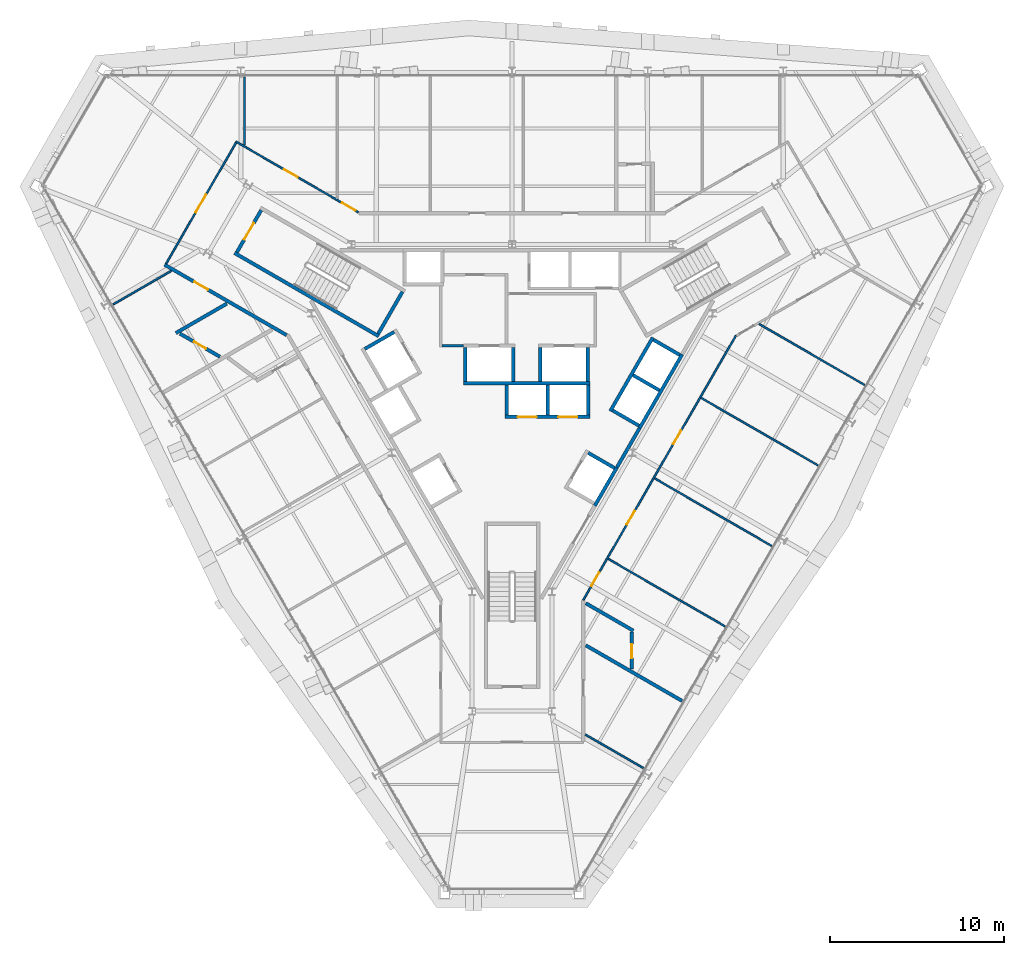
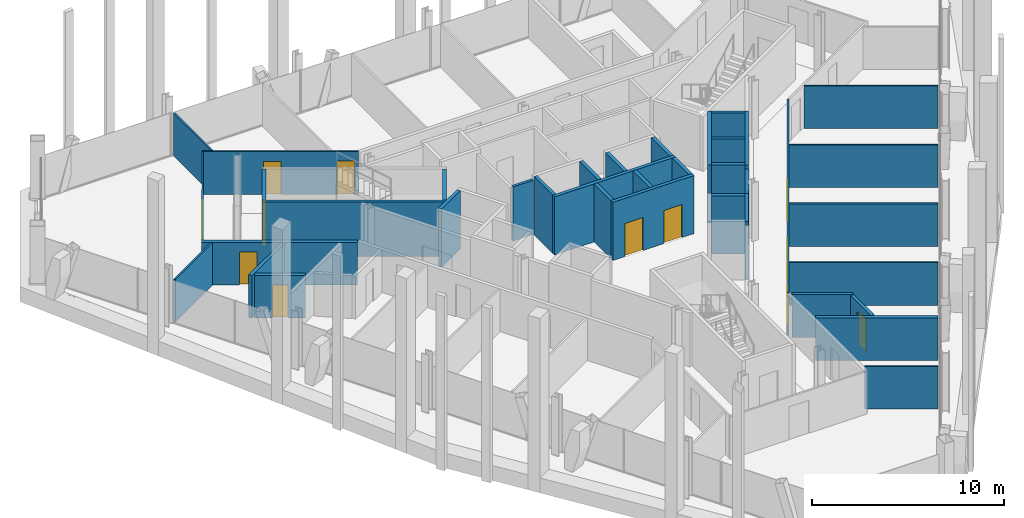
# One storey, part 13 of 17: 38 walls, 12 doors, 12 openings.
"""IFC4 building model written with IfcOpenShell, lengths in metres."""

import ifcopenshell
import ifcopenshell.guid

model = None  # the IFC model being written
_history = None  # IfcOwnerHistory: only IFC2X3 demands one
_inside = {}  # id of a spatial element -> (the spatial element, [elements in it])
_under = {}  # id of a project, library or spatial element -> (it, [spatial elements below it])
_declared = {}  # id of a project -> (the project, [libraries it declares])
_typed = {}  # id of a type object -> (the type object, [elements of that type])
_made_of = {}  # id of a material, layer set ... -> (it, [elements and type objects made of it])


def new_model(schema):
    """Start an empty IFC model of exactly this schema.

    Asked for "IFC4X3", IfcOpenShell would pick the latest addendum, in which some entities
    have other attributes; the version numbers below select the first issue.
    IFC2X3 requires an IfcOwnerHistory on every rooted entity: one is made here for all.
    """
    global model, _history
    if schema == "IFC4X3":
        model = ifcopenshell.file(schema_version=(4, 3, 0, 0))
    else:
        model = ifcopenshell.file(schema=schema)
    _inside.clear()
    _under.clear()
    _declared.clear()
    _typed.clear()
    _made_of.clear()
    _history = None
    if model.schema == "IFC2X3":
        org = make("IfcOrganization", Name="unknown")
        user = make(
            "IfcPersonAndOrganization",
            ThePerson=make("IfcPerson", FamilyName="unknown"),
            TheOrganization=org,
        )
        app = make(
            "IfcApplication",
            ApplicationDeveloper=org,
            Version="unknown",
            ApplicationFullName="unknown",
            ApplicationIdentifier="unknown",
        )
        _history = make(
            "IfcOwnerHistory",
            OwningUser=user,
            OwningApplication=app,
            ChangeAction="ADDED",
            CreationDate=0,
        )
    return model


def make(cls, **values):
    """One entity of the class cls with the attributes given. An attribute that is None is left unset."""
    return model.create_entity(
        cls, **{name: value for name, value in values.items() if value is not None}
    )


def rooted(cls, **values):
    """An entity with a GlobalId (a new one), such as an element, a storey or a relation."""
    return make(cls, GlobalId=ifcopenshell.guid.new(), OwnerHistory=_history, **values)


def si_unit(unit_type, name, prefix=None):
    """IfcSIUnit, for example si_unit("LENGTHUNIT", "METRE", prefix="MILLI")."""
    return make("IfcSIUnit", UnitType=unit_type, Prefix=prefix, Name=name)


def assignment(units):
    """IfcUnitAssignment: the units of a project."""
    return None if units is None else make("IfcUnitAssignment", Units=units)


def point(xyz):
    """IfcCartesianPoint."""
    return None if xyz is None else make("IfcCartesianPoint", Coordinates=xyz)


def direction(xyz):
    """IfcDirection."""
    return None if xyz is None else make("IfcDirection", DirectionRatios=xyz)


def frame(location, z_axis=None, x_axis=None):
    """IfcAxis2Placement3D, a coordinate frame: its origin and axes. An axis left out is left unset."""
    return make(
        "IfcAxis2Placement3D",
        Location=point(location),
        Axis=direction(z_axis),
        RefDirection=direction(x_axis),
    )


def frame_2d(location, x_axis=None):
    """IfcAxis2Placement2D, a coordinate frame in the plane: its origin and x axis."""
    return make(
        "IfcAxis2Placement2D", Location=point(location), RefDirection=direction(x_axis)
    )


def origin():
    """The frame at (0, 0, 0) with its axes left unset."""
    return frame((0.0, 0.0, 0.0))


def place(relative_to, where):
    """IfcLocalPlacement: puts the frame where relative to a parent placement (None: the world)."""
    return make(
        "IfcLocalPlacement", PlacementRelTo=relative_to, RelativePlacement=where
    )


def context(
    kind, dimensions, precision=None, world=None, true_north=None, identifier=None
):
    """IfcGeometricRepresentationContext, for example the 3D "Model" context."""
    return make(
        "IfcGeometricRepresentationContext",
        ContextIdentifier=identifier,
        ContextType=kind,
        CoordinateSpaceDimension=dimensions,
        Precision=precision,
        WorldCoordinateSystem=world,
        TrueNorth=true_north,
    )


def subcontext(parent, identifier, kind, view, scale=None):
    """IfcGeometricRepresentationSubContext, for example "Body" below "Model"."""
    return make(
        "IfcGeometricRepresentationSubContext",
        ContextIdentifier=identifier,
        ContextType=kind,
        ParentContext=parent,
        TargetScale=scale,
        TargetView=view,
    )


def project(units=None, contexts=None):
    """IfcProject with its units and contexts."""
    return rooted(
        "IfcProject",
        Name="project",
        RepresentationContexts=contexts,
        UnitsInContext=assignment(units),
    )


def spatial(cls, under=None, at=None, **own):
    """A site, building, storey or space (cls), placed at a placement, below another one or the project."""
    s = rooted(cls, ObjectPlacement=at, **own)
    if under is not None:
        _under.setdefault(under.id(), (under, []))[1].append(s)
    return s


def profile(cls, at=None, kind="AREA", **sizes):
    """A parametric profile (cls). Its sizes go by their IFC names, for example OverallWidth=200.0."""
    return make(cls, ProfileType=kind, Position=at, **sizes)


def rectangle(**sizes):
    """IfcRectangleProfileDef."""
    return profile("IfcRectangleProfileDef", **sizes)


def extrude(swept, where, along, depth):
    """IfcExtrudedAreaSolid: the profile swept, set in the frame where, extruded along a direction by depth."""
    return make(
        "IfcExtrudedAreaSolid",
        SweptArea=swept,
        Position=where,
        ExtrudedDirection=direction(along),
        Depth=depth,
    )


def shape(context_of_items, identifier, shape_type, items):
    """IfcShapeRepresentation: the items that make up one representation, for example the "Body"."""
    return make(
        "IfcShapeRepresentation",
        ContextOfItems=context_of_items,
        RepresentationIdentifier=identifier,
        RepresentationType=shape_type,
        Items=items,
    )


def material(Name=None, Category=None):
    """IfcMaterial."""
    return make("IfcMaterial", Name=Name, Category=Category)


def layer(
    of_material, thickness, ventilated=None, Name=None, Category=None, Priority=None
):
    """IfcMaterialLayer: one layer of a wall or slab, of a material (None: an air gap)."""
    return make(
        "IfcMaterialLayer",
        Material=of_material,
        LayerThickness=thickness,
        IsVentilated=ventilated,
        Name=Name,
        Category=Category,
        Priority=Priority,
    )


def layer_set(layers, Name=None):
    """IfcMaterialLayerSet."""
    return make("IfcMaterialLayerSet", MaterialLayers=layers, LayerSetName=Name)


def made_of(thing, what):
    """Note that an element or type object is made of a material, layer set ...; save() writes the relation."""
    if what is not None:
        _made_of.setdefault(what.id(), (what, []))[1].append(thing)
    return thing


def type_object(cls, material=None, **own):
    """A type object (cls), such as IfcWallType, which elements share."""
    return made_of(rooted(cls, **own), material)


def element(
    cls,
    number,
    at=None,
    inside=None,
    cuts=None,
    type_object=None,
    material=None,
    context=None,
    identifier="Body",
    shape_type=None,
    held_by="IfcProductDefinitionShape",
    body=None,
    shapes=None,
    **own,
):
    """One element of the class cls, such as IfcWall. Its Tag is "e" and its number.

    at: its placement. inside: the storey or other place that contains it. cuts: it is an
    opening in that element (IfcRelVoidsElement). A single representation is given by context,
    identifier, shape_type and body (its items); several are given by shapes. held_by: the class
    of the entity that holds the representations. save() writes the other relations.
    """
    e = rooted(cls, Tag="e%d" % number, ObjectPlacement=at, **own)
    if body is not None:
        shapes = [shape(context, identifier, shape_type, body)]
    if shapes is not None:
        e.Representation = make(held_by, Representations=shapes)
    if inside is not None:
        _inside.setdefault(inside.id(), (inside, []))[1].append(e)
    if cuts is not None:
        rooted(
            "IfcRelVoidsElement", RelatingBuildingElement=cuts, RelatedOpeningElement=e
        )
    if type_object is not None:
        _typed.setdefault(type_object.id(), (type_object, []))[1].append(e)
    return made_of(e, material)


def fill(opening, filler):
    """IfcRelFillsElement: the door or window that sits in an opening."""
    return rooted(
        "IfcRelFillsElement",
        RelatingOpeningElement=opening,
        RelatedBuildingElement=filler,
    )


def aggregate(whole, parts):
    """IfcRelAggregates: a whole, such as a stair, and the parts it consists of."""
    return rooted("IfcRelAggregates", RelatingObject=whole, RelatedObjects=parts)


def save(model, path):
    """Write the relations noted so far, then the file.

    IfcRelAggregates (storeys below a building ...), IfcRelContainedInSpatialStructure (elements
    in a storey), IfcRelDefinesByType, IfcRelAssociatesMaterial and IfcRelDeclares: one each for
    every whole, place, type object, material and project.
    """
    for whole, parts in _under.values():
        aggregate(whole, parts)
    for where, things in _inside.values():
        rooted(
            "IfcRelContainedInSpatialStructure",
            RelatedElements=things,
            RelatingStructure=where,
        )
    for kind, things in _typed.values():
        rooted("IfcRelDefinesByType", RelatedObjects=things, RelatingType=kind)
    for what, things in _made_of.values():
        rooted("IfcRelAssociatesMaterial", RelatedObjects=things, RelatingMaterial=what)
    for by, libraries in _declared.values():
        rooted("IfcRelDeclares", RelatingContext=by, RelatedDefinitions=libraries)
    model.write(path)


model = new_model("IFC4")

# Units and contexts
model_context = context("Model", 3, precision=1e-05, world=origin(), true_north=direction((0.0, 1.0)))
body_context = subcontext(model_context, "Body", "Model", "MODEL_VIEW")
ifc_project = project(units=[si_unit("LENGTHUNIT", "METRE"), si_unit("AREAUNIT", "SQUARE_METRE"), si_unit("VOLUMEUNIT", "CUBIC_METRE"), si_unit("PLANEANGLEUNIT", "RADIAN"), si_unit("MASSUNIT", "GRAM", prefix="KILO")], contexts=[model_context])

# Site, building, storey
site_placement = place(None, origin())
site = spatial("IfcSite", under=ifc_project, at=site_placement, CompositionType="ELEMENT")
building_placement = place(site_placement, origin())
building = spatial("IfcBuilding", under=site, at=building_placement, Name="Verrane Prism Tower", CompositionType="ELEMENT")
storey_placement = place(building_placement, frame((0.0, 0.0, 178.39990234375)))
storey = spatial("IfcBuildingStorey", under=building, at=storey_placement, Name="L44", CompositionType="ELEMENT", Elevation=178.39990234375)

# Wall
ifc_material_1 = material(Name="Gypsum board partition", Category="other")
ifc_layer_1 = layer(ifc_material_1, 0.199951171875)
ifc_layer_set_1 = layer_set([ifc_layer_1], Name="CW-200 core boundary wall 2 h")
wall_type_1 = type_object("IfcWallType", Name="CW-200 core boundary wall 2 h", PredefinedType="PARTITIONING", material=ifc_layer_set_1)
wall_1_placement = place(storey_placement, frame((6.0419921875, -4.85498046875, 0.0), z_axis=(0.0, 0.0, 1.0), x_axis=(0.500252727967, 0.865879442048, 0.0)))
element("IfcWall", 1, at=wall_1_placement, inside=storey, type_object=wall_type_1, Name="Core boundary wall CW3-007", PredefinedType="PARTITIONING", context=body_context, shape_type="SweptSolid", body=[
    extrude(rectangle(XDim=2.616943359375, YDim=0.199951171875, at=frame_2d((1.30859375, 0.0))), origin(), (0.0, 0.0, 1.0), 3.4501953125),
])

# Wall, opening, door
ifc_material_2 = material(Name="Concrete C40/50", Category="concrete")
ifc_layer_2 = layer(ifc_material_2, 0.199951171875)
ifc_layer_set_2 = layer_set([ifc_layer_2], Name="CW-200 stair core wall concrete C40/50 3 h")
wall_type_2 = type_object("IfcWallType", Name="CW-200 stair core wall concrete C40/50 3 h", PredefinedType="PARTITIONING", material=ifc_layer_set_2)
wall_2_placement = place(storey_placement, frame((-14.455322265625, 9.96240234375, 0.0), z_axis=(0.0, 0.0, 1.0), x_axis=(-0.500049511043, -0.865996816683, 0.0)))
wall_2 = element("IfcWall", 2, at=wall_2_placement, inside=storey, type_object=wall_type_2, Name="Stair 2 enclosure wall", PredefinedType="PARTITIONING", context=body_context, shape_type="SweptSolid", body=[
    extrude(rectangle(XDim=2.800048828125, YDim=0.199951171875, at=frame_2d((1.39990234375, 0.0))), origin(), (0.0, 0.0, 1.0), 3.4501953125),
])
opening_1_placement = place(wall_2_placement, frame((0.849853515625, 0.0, 0.0)))
opening_1 = element("IfcOpeningElement", 3, at=opening_1_placement, cuts=wall_2, Name="Opening D44501", PredefinedType="OPENING", context=body_context, shape_type="SweptSolid", body=[
    extrude(rectangle(XDim=1.10009765625, YDim=2.10009765625, at=frame_2d((0.550048828125, 1.050048828125))), frame((0.0, 0.10986328125, 0.0), z_axis=(0.0, -1.0, 0.0), x_axis=(1.0, 0.0, 0.0)), (0.0, 0.0, 1.0), 0.219970703125),
])
ifc_material_3 = material(Name="Timber veneered door leaf", Category="wood")
door_type_1 = type_object("IfcDoorType", Name="DR-1100x2100 FD90 single leaf stair", OperationType="NOTDEFINED", PredefinedType="DOOR", material=ifc_material_3)
door_1_placement = place(opening_1_placement, origin())
door_1 = element("IfcDoor", 4, at=door_1_placement, inside=storey, type_object=door_type_1, Name="Stair 2 door", OperationType="SINGLE_SWING_RIGHT", OverallHeight=2.10009765625, OverallWidth=1.10009765625, PredefinedType="DOOR", context=body_context, shape_type="SweptSolid", body=[
    extrude(rectangle(XDim=1.10009765625, YDim=2.10009765625, at=frame_2d((0.550048828125, 1.050048828125))), frame((0.0, 0.02490234375, 0.0), z_axis=(0.0, -1.0, 0.0), x_axis=(1.0, 0.0, 0.0)), (0.0, 0.0, 1.0), 0.050048828125),
])
fill(opening_1, door_1)

# Walls
wall_3_placement = place(storey_placement, frame((-7.67822265625, 2.700927734375, 0.0), z_axis=(0.0, 0.0, 1.0), x_axis=(-0.866019993635, 0.500009370536, 0.0)))
element("IfcWall", 5, at=wall_3_placement, inside=storey, type_object=wall_type_2, Name="Stair 2 enclosure wall", PredefinedType="PARTITIONING", context=body_context, shape_type="SweptSolid", body=[
    extrude(rectangle(XDim=9.599853515625, YDim=0.199951171875, at=frame_2d((4.7998046875, 0.0))), origin(), (0.0, 0.0, 1.0), 3.4501953125),
])
wall_4_placement = place(storey_placement, frame((-6.314697265625, 5.262451171875, 0.0), z_axis=(0.0, 0.0, 1.0), x_axis=(-0.500049511043, -0.865996816683, 0.0)))
element("IfcWall", 6, at=wall_4_placement, inside=storey, type_object=wall_type_2, Name="Stair 2 enclosure wall", PredefinedType="PARTITIONING", context=body_context, shape_type="SweptSolid", body=[
    extrude(rectangle(XDim=2.800048828125, YDim=0.199951171875, at=frame_2d((1.39990234375, 0.0))), origin(), (0.0, 0.0, 1.0), 3.4501953125),
])

# Wall, openings, doors
ifc_material_4 = material(Name="Gypsum board shaft wall assembly", Category="other")
ifc_layer_3 = layer(ifc_material_4, 0.199951171875)
ifc_layer_set_3 = layer_set([ifc_layer_3], Name="HW-200 lift shaft wall 2 h")
wall_type_3 = type_object("IfcWallType", Name="HW-200 lift shaft wall 2 h", PredefinedType="PARTITIONING", material=ifc_layer_set_3)
wall_5_placement = place(storey_placement, frame((-0.405029296875, -1.949951171875, 0.0), z_axis=(0.0, 0.0, 1.0), x_axis=(1.0, 0.0, 0.0)))
wall_5 = element("IfcWall", 7, at=wall_5_placement, inside=storey, type_object=wall_type_3, Name="Lift shaft wall", PredefinedType="PARTITIONING", context=body_context, shape_type="SweptSolid", body=[
    extrude(rectangle(XDim=4.900146484375, YDim=0.199951171875, at=frame_2d((2.4501953125, 0.0))), origin(), (0.0, 0.0, 1.0), 3.7001953125),
])
opening_2_placement = place(wall_5_placement, frame((0.72509765625, 0.0, 0.0)))
opening_2 = element("IfcOpeningElement", 8, at=opening_2_placement, cuts=wall_5, Name="Opening D44503", PredefinedType="OPENING", context=body_context, shape_type="SweptSolid", body=[
    extrude(rectangle(XDim=1.10009765625, YDim=2.10009765625, at=frame_2d((0.550048828125, 1.050048828125))), frame((0.0, 0.10986328125, 0.0), z_axis=(0.0, -1.0, 0.0), x_axis=(1.0, 0.0, 0.0)), (0.0, 0.0, 1.0), 0.219970703125),
])
opening_3_placement = place(wall_5_placement, frame((3.074951171875, 0.0, 0.0)))
opening_3 = element("IfcOpeningElement", 9, at=opening_3_placement, cuts=wall_5, Name="Opening D44504", PredefinedType="OPENING", context=body_context, shape_type="SweptSolid", body=[
    extrude(rectangle(XDim=1.10009765625, YDim=2.10009765625, at=frame_2d((0.550048828125, 1.050048828125))), frame((0.0, 0.10986328125, 0.0), z_axis=(0.0, -1.0, 0.0), x_axis=(1.0, 0.0, 0.0)), (0.0, 0.0, 1.0), 0.219970703125),
])
ifc_material_5 = material(Name="Stainless steel sliding landing door", Category="steel")
door_type_2 = type_object("IfcDoorType", Name="LD-1100x2100 lift landing door FD90 sliding", OperationType="NOTDEFINED", PredefinedType="DOOR", material=ifc_material_5)
door_2_placement = place(opening_2_placement, origin())
door_2 = element("IfcDoor", 10, at=door_2_placement, inside=storey, type_object=door_type_2, Name="Bank B lift 1 landing door", OperationType="SLIDING_TO_LEFT", OverallHeight=2.10009765625, OverallWidth=1.10009765625, PredefinedType="DOOR", context=body_context, shape_type="SweptSolid", body=[
    extrude(rectangle(XDim=1.10009765625, YDim=2.10009765625, at=frame_2d((0.550048828125, 1.050048828125))), frame((0.0, 0.02490234375, 0.0), z_axis=(0.0, -1.0, 0.0), x_axis=(1.0, 0.0, 0.0)), (0.0, 0.0, 1.0), 0.050048828125),
])
fill(opening_2, door_2)
door_3_placement = place(opening_3_placement, origin())
door_3 = element("IfcDoor", 11, at=door_3_placement, inside=storey, type_object=door_type_2, Name="Bank B lift 2 landing door", OperationType="SLIDING_TO_RIGHT", OverallHeight=2.10009765625, OverallWidth=1.10009765625, PredefinedType="DOOR", context=body_context, shape_type="SweptSolid", body=[
    extrude(rectangle(XDim=1.10009765625, YDim=2.10009765625, at=frame_2d((0.550048828125, 1.050048828125))), frame((0.0, 0.02490234375, 0.0), z_axis=(0.0, -1.0, 0.0), x_axis=(1.0, 0.0, 0.0)), (0.0, 0.0, 1.0), 0.050048828125),
])
fill(opening_3, door_3)

# Walls
wall_6_placement = place(storey_placement, frame((-2.784912109375, 0.0, 0.0), z_axis=(0.0, 0.0, 1.0), x_axis=(1.0, 0.0, 0.0)))
element("IfcWall", 12, at=wall_6_placement, inside=storey, type_object=wall_type_3, Name="Lift shaft wall", PredefinedType="PARTITIONING", context=body_context, shape_type="SweptSolid", body=[
    extrude(rectangle(XDim=7.280029296875, YDim=0.199951171875, at=frame_2d((3.64013671875, 0.0))), origin(), (0.0, 0.0, 1.0), 3.7001953125),
])
wall_7_placement = place(storey_placement, frame((-8.48046875, 1.968505859375, 0.0), z_axis=(0.0, 0.0, 1.0), x_axis=(0.866000020948, 0.500043961785, 0.0)))
element("IfcWall", 13, at=wall_7_placement, inside=storey, type_object=wall_type_3, Name="Lift shaft wall", PredefinedType="PARTITIONING", context=body_context, shape_type="SweptSolid", body=[
    extrude(rectangle(XDim=1.949951171875, YDim=0.199951171875, at=frame_2d((0.97509765625, 0.0))), origin(), (0.0, 0.0, 1.0), 3.7001953125),
])
wall_8_placement = place(storey_placement, frame((4.766357421875, -7.064697265625, 0.0), z_axis=(0.0, 0.0, 1.0), x_axis=(0.499948979701, 0.866054858364, 0.0)))
element("IfcWall", 14, at=wall_8_placement, inside=storey, type_object=wall_type_3, Name="Lift shaft wall", PredefinedType="PARTITIONING", context=body_context, shape_type="SweptSolid", body=[
    extrude(rectangle(XDim=2.550048828125, YDim=0.199951171875, at=frame_2d((1.27490234375, 0.0))), origin(), (0.0, 0.0, 1.0), 3.7001953125),
])
wall_9_placement = place(storey_placement, frame((7.351318359375, -2.587158203125, 0.0), z_axis=(0.0, 0.0, 1.0), x_axis=(0.500002801628, 0.866023786258, 0.0)))
element("IfcWall", 15, at=wall_9_placement, inside=storey, type_object=wall_type_3, Name="Lift shaft wall", PredefinedType="PARTITIONING", context=body_context, shape_type="SweptSolid", body=[
    extrude(rectangle(XDim=4.89990234375, YDim=0.199951171875, at=frame_2d((2.449951171875, 0.0))), origin(), (0.0, 0.0, 1.0), 3.7001953125),
])
wall_10_placement = place(storey_placement, frame((5.66259765625, -1.6123046875, 0.0), z_axis=(0.0, 0.0, 1.0), x_axis=(0.49998122708, 0.866036242063, 0.0)))
element("IfcWall", 16, at=wall_10_placement, inside=storey, type_object=wall_type_3, Name="Lift shaft wall", PredefinedType="PARTITIONING", context=body_context, shape_type="SweptSolid", body=[
    extrude(rectangle(XDim=4.900146484375, YDim=0.199951171875, at=frame_2d((2.4501953125, 0.0))), origin(), (0.0, 0.0, 1.0), 3.7001953125),
])
wall_11_placement = place(storey_placement, frame((4.39501953125, -1.85009765625, 0.0), z_axis=(0.0, 0.0, 1.0), x_axis=(0.0, 1.0, 0.0)))
element("IfcWall", 17, at=wall_11_placement, inside=storey, type_object=wall_type_3, Name="Lift shaft wall", PredefinedType="PARTITIONING", context=body_context, shape_type="SweptSolid", body=[
    extrude(rectangle(XDim=1.75, YDim=0.199951171875, at=frame_2d((0.875, 0.0))), origin(), (0.0, 0.0, 1.0), 3.7001953125),
])
wall_12_placement = place(storey_placement, frame((4.375, 0.10009765625, 0.0), z_axis=(0.0, 0.0, 1.0), x_axis=(0.0, 1.0, 0.0)))
element("IfcWall", 18, at=wall_12_placement, inside=storey, type_object=wall_type_3, Name="Lift shaft wall", PredefinedType="PARTITIONING", context=body_context, shape_type="SweptSolid", body=[
    extrude(rectangle(XDim=1.949951171875, YDim=0.199951171875, at=frame_2d((0.97509765625, 0.0))), origin(), (0.0, 0.0, 1.0), 3.7001953125),
])
wall_13_placement = place(storey_placement, frame((2.044921875, -1.85009765625, 0.0), z_axis=(0.0, 0.0, 1.0), x_axis=(0.0, 1.0, 0.0)))
element("IfcWall", 19, at=wall_13_placement, inside=storey, type_object=wall_type_3, Name="Lift shaft wall", PredefinedType="PARTITIONING", context=body_context, shape_type="SweptSolid", body=[
    extrude(rectangle(XDim=1.75, YDim=0.199951171875, at=frame_2d((0.875, 0.0))), origin(), (0.0, 0.0, 1.0), 3.7001953125),
])
for number, where, z_axis, x_axis, name in (
    (20, (1.625, 0.10009765625, 0.0), (0.0, 0.0, 1.0), (0.0, 1.0, 0.0), "Lift shaft wall"),
    (21, (0.06494140625, 0.10009765625, 0.0), (0.0, 0.0, 1.0), (0.0, 1.0, 0.0), "Lift shaft wall"),
):
    element("IfcWall", number, at=place(storey_placement, frame(where, z_axis=z_axis, x_axis=x_axis)), inside=storey, type_object=wall_type_3, Name=name, PredefinedType="PARTITIONING", context=body_context, shape_type="SweptSolid", body=[
        extrude(rectangle(XDim=1.949951171875, YDim=0.199951171875, at=frame_2d((0.97509765625, 0.0))), origin(), (0.0, 0.0, 1.0), 3.7001953125),
    ])
wall_14_placement = place(storey_placement, frame((-0.304931640625, -1.85009765625, 0.0), z_axis=(0.0, 0.0, 1.0), x_axis=(0.0, 1.0, 0.0)))
element("IfcWall", 22, at=wall_14_placement, inside=storey, type_object=wall_type_3, Name="Lift shaft wall", PredefinedType="PARTITIONING", context=body_context, shape_type="SweptSolid", body=[
    extrude(rectangle(XDim=1.75, YDim=0.199951171875, at=frame_2d((0.875, 0.0))), origin(), (0.0, 0.0, 1.0), 3.7001953125),
])
wall_15_placement = place(storey_placement, frame((-2.68505859375, 0.10009765625, 0.0), z_axis=(0.0, 0.0, 1.0), x_axis=(0.0, 1.0, 0.0)))
element("IfcWall", 23, at=wall_15_placement, inside=storey, type_object=wall_type_3, Name="Lift shaft wall", PredefinedType="PARTITIONING", context=body_context, shape_type="SweptSolid", body=[
    extrude(rectangle(XDim=1.949951171875, YDim=0.199951171875, at=frame_2d((0.97509765625, 0.0))), origin(), (0.0, 0.0, 1.0), 3.7001953125),
])
wall_16_placement = place(storey_placement, frame((9.66455078125, 1.61962890625, 0.0), z_axis=(0.0, 0.0, 1.0), x_axis=(-0.866002029911, 0.500040482552, 0.0)))
element("IfcWall", 24, at=wall_16_placement, inside=storey, type_object=wall_type_3, Name="Lift shaft wall", PredefinedType="PARTITIONING", context=body_context, shape_type="SweptSolid", body=[
    extrude(rectangle(XDim=1.749755859375, YDim=0.199951171875, at=frame_2d((0.875, 0.0))), origin(), (0.0, 0.0, 1.0), 3.7001953125),
])
for number, where, z_axis, x_axis, name in (
    (25, (8.48974609375, -0.41552734375, 0.0), (0.0, 0.0, 1.0), (-0.866036909293, 0.499980071345, 0.0), "Lift shaft wall"),
    (26, (7.314697265625, -2.45068359375, 0.0), (0.0, 0.0, 1.0), (-0.866036909293, 0.499980071345, 0.0), "Lift shaft wall"),
):
    element("IfcWall", number, at=place(storey_placement, frame(where, z_axis=z_axis, x_axis=x_axis)), inside=storey, type_object=wall_type_3, Name=name, PredefinedType="PARTITIONING", context=body_context, shape_type="SweptSolid", body=[
        extrude(rectangle(XDim=1.75, YDim=0.199951171875, at=frame_2d((0.875, 0.0))), origin(), (0.0, 0.0, 1.0), 3.7001953125),
    ])
wall_17_placement = place(storey_placement, frame((5.904541015625, -4.892822265625, 0.0), z_axis=(0.0, 0.0, 1.0), x_axis=(-0.866002029911, 0.500040482552, 0.0)))
element("IfcWall", 27, at=wall_17_placement, inside=storey, type_object=wall_type_3, Name="Lift shaft wall", PredefinedType="PARTITIONING", context=body_context, shape_type="SweptSolid", body=[
    extrude(rectangle(XDim=1.749755859375, YDim=0.199951171875, at=frame_2d((0.875, 0.0))), origin(), (0.0, 0.0, 1.0), 3.7001953125),
])
ifc_material_6 = material(Name="Gypsum board partition", Category="other")
ifc_layer_4 = layer(ifc_material_6, 0.14990234375)
ifc_layer_set_4 = layer_set([ifc_layer_4], Name="LF-150 firefighting lobby wall 1 h")
wall_type_4 = type_object("IfcWallType", Name="LF-150 firefighting lobby wall 1 h", PredefinedType="PARTITIONING", material=ifc_layer_set_4)
wall_18_placement = place(storey_placement, frame((-4.02490234375, 2.159912109375, 0.0), z_axis=(0.0, 0.0, 1.0), x_axis=(1.0, 0.0, 0.0)))
element("IfcWall", 28, at=wall_18_placement, inside=storey, type_object=wall_type_4, Name="Firefighting lobby wall LF1-002", PredefinedType="PARTITIONING", context=body_context, shape_type="SweptSolid", body=[
    extrude(rectangle(XDim=1.23779296875, YDim=0.14990234375, at=frame_2d((0.618896484375, 0.0))), origin(), (0.0, 0.0, 1.0), 3.4501953125),
])
ifc_material_7 = material(Name="Gypsum board partition", Category="other")
ifc_layer_5 = layer(ifc_material_7, 0.10009765625)
ifc_layer_set_5 = layer_set([ifc_layer_5], Name="PW-100 room partition")
wall_type_5 = type_object("IfcWallType", Name="PW-100 room partition", PredefinedType="PARTITIONING", material=ifc_layer_set_5)
wall_19_placement = place(storey_placement, frame((-22.982666015625, 4.5380859375, 0.0), z_axis=(0.0, 0.0, 1.0), x_axis=(0.865988254995, 0.500064338071, 0.0)))
element("IfcWall", 29, at=wall_19_placement, inside=storey, type_object=wall_type_5, Name="Room partition 001", PredefinedType="PARTITIONING", context=body_context, shape_type="SweptSolid", body=[
    extrude(rectangle(XDim=3.85302734375, YDim=0.10009765625, at=frame_2d((1.926513671875, 0.0))), origin(), (0.0, 0.0, 1.0), 2.713134765625),
])

# Wall, opening, door
wall_20_placement = place(storey_placement, frame((-19.929931640625, 6.8876953125, 0.0), z_axis=(0.0, 0.0, 1.0), x_axis=(0.500413056211, 0.865786794294, 0.0)))
wall_20 = element("IfcWall", 30, at=wall_20_placement, inside=storey, type_object=wall_type_5, Name="Room partition 003", PredefinedType="PARTITIONING", context=body_context, shape_type="SweptSolid", body=[
    extrude(rectangle(XDim=8.047119140625, YDim=0.10009765625, at=frame_2d((4.0234375, 0.0))), origin(), (0.0, 0.0, 1.0), 2.713134765625),
])
opening_4_placement = place(wall_20_placement, frame((3.39990234375, 0.0, 0.0)))
opening_4 = element("IfcOpeningElement", 31, at=opening_4_placement, cuts=wall_20, Name="Opening D44016", PredefinedType="OPENING", context=body_context, shape_type="SweptSolid", body=[
    extrude(rectangle(XDim=1.199951171875, YDim=2.10009765625, at=frame_2d((0.60009765625, 1.050048828125))), frame((0.0, 0.06005859375, 0.0), z_axis=(0.0, -1.0, 0.0), x_axis=(1.0, 0.0, 0.0)), (0.0, 0.0, 1.0), 0.1201171875),
])
ifc_material_8 = material(Name="Timber veneered door leaf", Category="wood")
door_type_3 = type_object("IfcDoorType", Name="DR-1200x2100 single leaf unit", OperationType="NOTDEFINED", PredefinedType="DOOR", material=ifc_material_8)
door_4_placement = place(opening_4_placement, origin())
door_4 = element("IfcDoor", 32, at=door_4_placement, inside=storey, type_object=door_type_3, Name="Living And Dining Room door", OperationType="SINGLE_SWING_RIGHT", OverallHeight=2.10009765625, OverallWidth=1.199951171875, PredefinedType="DOOR", context=body_context, shape_type="SweptSolid", body=[
    extrude(rectangle(XDim=1.199951171875, YDim=2.10009765625, at=frame_2d((0.60009765625, 1.050048828125))), frame((0.0, 0.02490234375, 0.0), z_axis=(0.0, -1.0, 0.0), x_axis=(1.0, 0.0, 0.0)), (0.0, 0.0, 1.0), 0.050048828125),
])
fill(opening_4, door_4)

# Wall, openings, doors
wall_21_placement = place(storey_placement, frame((-15.92138671875, 13.923095703125, 0.0), z_axis=(0.0, 0.0, 1.0), x_axis=(0.866088973199, -0.499889878377, 0.0)))
wall_21 = element("IfcWall", 33, at=wall_21_placement, inside=storey, type_object=wall_type_5, Name="Room partition 009", PredefinedType="PARTITIONING", context=body_context, shape_type="SweptSolid", body=[
    extrude(rectangle(XDim=8.162841796875, YDim=0.10009765625, at=frame_2d((4.08154296875, 0.0))), origin(), (0.0, 0.0, 1.0), 2.713134765625),
])
opening_5_placement = place(wall_21_placement, frame((7.06005859375, 0.0, 0.0)))
opening_5 = element("IfcOpeningElement", 34, at=opening_5_placement, cuts=wall_21, Name="Opening D44014", PredefinedType="OPENING", context=body_context, shape_type="SweptSolid", body=[
    extrude(rectangle(XDim=0.89990234375, YDim=2.10009765625, at=frame_2d((0.449951171875, 1.050048828125))), frame((0.0, 0.06005859375, 0.0), z_axis=(0.0, -1.0, 0.0), x_axis=(1.0, 0.0, 0.0)), (0.0, 0.0, 1.0), 0.1201171875),
])
opening_6_placement = place(wall_21_placement, frame((3.22607421875, 0.0, 0.0)))
opening_6 = element("IfcOpeningElement", 35, at=opening_6_placement, cuts=wall_21, Name="Opening D44015", PredefinedType="OPENING", context=body_context, shape_type="SweptSolid", body=[
    extrude(rectangle(XDim=0.89990234375, YDim=2.10009765625, at=frame_2d((0.449951171875, 1.050048828125))), frame((0.0, 0.06005859375, 0.0), z_axis=(0.0, -1.0, 0.0), x_axis=(1.0, 0.0, 0.0)), (0.0, 0.0, 1.0), 0.1201171875),
])
ifc_material_9 = material(Name="Timber veneered door leaf", Category="wood")
door_type_4 = type_object("IfcDoorType", Name="DR-900x2100 single leaf unit", OperationType="NOTDEFINED", PredefinedType="DOOR", material=ifc_material_9)
door_5_placement = place(opening_5_placement, origin())
door_5 = element("IfcDoor", 36, at=door_5_placement, inside=storey, type_object=door_type_4, Name="Study door", OperationType="SINGLE_SWING_RIGHT", OverallHeight=2.10009765625, OverallWidth=0.89990234375, PredefinedType="DOOR", context=body_context, shape_type="SweptSolid", body=[
    extrude(rectangle(XDim=0.89990234375, YDim=2.10009765625, at=frame_2d((0.449951171875, 1.050048828125))), frame((0.0, 0.02490234375, 0.0), z_axis=(0.0, -1.0, 0.0), x_axis=(1.0, 0.0, 0.0)), (0.0, 0.0, 1.0), 0.050048828125),
])
fill(opening_5, door_5)
door_6_placement = place(opening_6_placement, origin())
door_6 = element("IfcDoor", 37, at=door_6_placement, inside=storey, type_object=door_type_4, Name="Study door", OperationType="SINGLE_SWING_LEFT", OverallHeight=2.10009765625, OverallWidth=0.89990234375, PredefinedType="DOOR", context=body_context, shape_type="SweptSolid", body=[
    extrude(rectangle(XDim=0.89990234375, YDim=2.10009765625, at=frame_2d((0.449951171875, 1.050048828125))), frame((0.0, 0.02490234375, 0.0), z_axis=(0.0, -1.0, 0.0), x_axis=(1.0, 0.0, 0.0)), (0.0, 0.0, 1.0), 0.050048828125),
])
fill(opening_6, door_6)

# Walls
wall_22_placement = place(storey_placement, frame((-15.422119140625, 13.7216796875, 0.0), z_axis=(0.0, 0.0, 1.0), x_axis=(0.0, 1.0, 0.0)))
element("IfcWall", 38, at=wall_22_placement, inside=storey, type_object=wall_type_5, Name="Room partition 010", PredefinedType="PARTITIONING", context=body_context, shape_type="SweptSolid", body=[
    extrude(rectangle(XDim=3.913330078125, YDim=0.10009765625, at=frame_2d((1.95654296875, 0.0))), origin(), (0.0, 0.0, 1.0), 2.713134765625),
])
wall_23_placement = place(storey_placement, frame((4.22509765625, -20.2470703125, 0.0), z_axis=(0.0, 0.0, 1.0), x_axis=(0.866070569679, -0.499921762215, 0.0)))
element("IfcWall", 39, at=wall_23_placement, inside=storey, type_object=wall_type_5, Name="Room partition 024", PredefinedType="PARTITIONING", context=body_context, shape_type="SweptSolid", body=[
    extrude(rectangle(XDim=3.8525390625, YDim=0.10009765625, at=frame_2d((1.92626953125, 0.0))), origin(), (0.0, 0.0, 1.0), 2.713134765625),
])

# Wall, openings, doors
wall_24_placement = place(storey_placement, frame((12.903076171875, 2.745361328125, 0.0), z_axis=(0.0, 0.0, 1.0), x_axis=(-0.499997333799, -0.866026943111, 0.0)))
wall_24 = element("IfcWall", 40, at=wall_24_placement, inside=storey, type_object=wall_type_5, Name="Room partition 027", PredefinedType="PARTITIONING", context=body_context, shape_type="SweptSolid", body=[
    extrude(rectangle(XDim=17.60595703125, YDim=0.10009765625, at=frame_2d((8.802978515625, 0.0))), origin(), (0.0, 0.0, 1.0), 2.713134765625),
])
opening_7_placement = place(wall_24_placement, frame((15.756103515625, 0.0, 0.0)))
opening_7 = element("IfcOpeningElement", 41, at=opening_7_placement, cuts=wall_24, Name="Opening D44002", PredefinedType="OPENING", context=body_context, shape_type="SweptSolid", body=[
    extrude(rectangle(XDim=0.89990234375, YDim=2.10009765625, at=frame_2d((0.449951171875, 1.050048828125))), frame((0.0, 0.06005859375, 0.0), z_axis=(0.0, -1.0, 0.0), x_axis=(1.0, 0.0, 0.0)), (0.0, 0.0, 1.0), 0.1201171875),
])
opening_8_placement = place(wall_24_placement, frame((11.678955078125, 0.0, 0.0)))
opening_8 = element("IfcOpeningElement", 42, at=opening_8_placement, cuts=wall_24, Name="Opening D44004", PredefinedType="OPENING", context=body_context, shape_type="SweptSolid", body=[
    extrude(rectangle(XDim=0.89990234375, YDim=2.10009765625, at=frame_2d((0.449951171875, 1.050048828125))), frame((0.0, 0.06005859375, 0.0), z_axis=(0.0, -1.0, 0.0), x_axis=(1.0, 0.0, 0.0)), (0.0, 0.0, 1.0), 0.1201171875),
])
opening_9_placement = place(wall_24_placement, frame((6.323974609375, 0.0, 0.0)))
opening_9 = element("IfcOpeningElement", 43, at=opening_9_placement, cuts=wall_24, Name="Opening D44005", PredefinedType="OPENING", context=body_context, shape_type="SweptSolid", body=[
    extrude(rectangle(XDim=0.89990234375, YDim=2.10009765625, at=frame_2d((0.449951171875, 1.050048828125))), frame((0.0, 0.06005859375, 0.0), z_axis=(0.0, -1.0, 0.0), x_axis=(1.0, 0.0, 0.0)), (0.0, 0.0, 1.0), 0.1201171875),
])
ifc_material_10 = material(Name="Timber veneered door leaf", Category="wood")
door_type_5 = type_object("IfcDoorType", Name="DR-900x2100 single leaf inner", OperationType="NOTDEFINED", PredefinedType="DOOR", material=ifc_material_10)
door_7_placement = place(opening_7_placement, origin())
door_7 = element("IfcDoor", 44, at=door_7_placement, inside=storey, type_object=door_type_5, Name="Bedroom door", OperationType="SINGLE_SWING_LEFT", OverallHeight=2.10009765625, OverallWidth=0.89990234375, PredefinedType="DOOR", context=body_context, shape_type="SweptSolid", body=[
    extrude(rectangle(XDim=0.89990234375, YDim=2.10009765625, at=frame_2d((0.449951171875, 1.050048828125))), frame((0.0, 0.02490234375, 0.0), z_axis=(0.0, -1.0, 0.0), x_axis=(1.0, 0.0, 0.0)), (0.0, 0.0, 1.0), 0.050048828125),
])
fill(opening_7, door_7)
door_8_placement = place(opening_8_placement, origin())
door_8 = element("IfcDoor", 45, at=door_8_placement, inside=storey, type_object=door_type_4, Name="Study door", OperationType="SINGLE_SWING_LEFT", OverallHeight=2.10009765625, OverallWidth=0.89990234375, PredefinedType="DOOR", context=body_context, shape_type="SweptSolid", body=[
    extrude(rectangle(XDim=0.89990234375, YDim=2.10009765625, at=frame_2d((0.449951171875, 1.050048828125))), frame((0.0, 0.02490234375, 0.0), z_axis=(0.0, -1.0, 0.0), x_axis=(1.0, 0.0, 0.0)), (0.0, 0.0, 1.0), 0.050048828125),
])
fill(opening_8, door_8)
door_9_placement = place(opening_9_placement, origin())
door_9 = element("IfcDoor", 46, at=door_9_placement, inside=storey, type_object=door_type_4, Name="Study door", OperationType="SINGLE_SWING_RIGHT", OverallHeight=2.10009765625, OverallWidth=0.89990234375, PredefinedType="DOOR", context=body_context, shape_type="SweptSolid", body=[
    extrude(rectangle(XDim=0.89990234375, YDim=2.10009765625, at=frame_2d((0.449951171875, 1.050048828125))), frame((0.0, 0.02490234375, 0.0), z_axis=(0.0, -1.0, 0.0), x_axis=(1.0, 0.0, 0.0)), (0.0, 0.0, 1.0), 0.050048828125),
])
fill(opening_9, door_9)

# Walls
wall_25_placement = place(storey_placement, frame((5.53564453125, -10.12451171875, 0.0), z_axis=(0.0, 0.0, 1.0), x_axis=(0.866044474677, -0.49996696679, 0.0)))
element("IfcWall", 47, at=wall_25_placement, inside=storey, type_object=wall_type_5, Name="Room partition 028", PredefinedType="PARTITIONING", context=body_context, shape_type="SweptSolid", body=[
    extrude(rectangle(XDim=7.77880859375, YDim=0.10009765625, at=frame_2d((3.889404296875, 0.0))), origin(), (0.0, 0.0, 1.0), 2.713134765625),
])
wall_26_placement = place(storey_placement, frame((8.213623046875, -5.486572265625, 0.0), z_axis=(0.0, 0.0, 1.0), x_axis=(0.866007344409, -0.500031278452, 0.0)))
element("IfcWall", 48, at=wall_26_placement, inside=storey, type_object=wall_type_5, Name="Room partition 033", PredefinedType="PARTITIONING", context=body_context, shape_type="SweptSolid", body=[
    extrude(rectangle(XDim=7.7783203125, YDim=0.10009765625, at=frame_2d((3.88916015625, 0.0))), origin(), (0.0, 0.0, 1.0), 2.713134765625),
])
wall_27_placement = place(storey_placement, frame((10.88720703125, -0.845947265625, 0.0), z_axis=(0.0, 0.0, 1.0), x_axis=(0.866004841997, -0.500035612369, 0.0)))
element("IfcWall", 49, at=wall_27_placement, inside=storey, type_object=wall_type_5, Name="Room partition 035", PredefinedType="PARTITIONING", context=body_context, shape_type="SweptSolid", body=[
    extrude(rectangle(XDim=7.783203125, YDim=0.10009765625, at=frame_2d((3.8916015625, 0.0))), origin(), (0.0, 0.0, 1.0), 2.713134765625),
])
wall_28_placement = place(storey_placement, frame((14.239990234375, 3.401611328125, 0.0), z_axis=(0.0, 0.0, 1.0), x_axis=(0.866018390239, -0.500012147621, 0.0)))
element("IfcWall", 50, at=wall_28_placement, inside=storey, type_object=wall_type_5, Name="Room partition 038", PredefinedType="PARTITIONING", context=body_context, shape_type="SweptSolid", body=[
    extrude(rectangle(XDim=7.003173828125, YDim=0.10009765625, at=frame_2d((3.50146484375, 0.0))), origin(), (0.0, 0.0, 1.0), 2.713134765625),
])

# Wall, opening, door
ifc_material_11 = material(Name="Gypsum board partition", Category="other")
ifc_layer_6 = layer(ifc_material_11, 0.199951171875)
ifc_layer_set_6 = layer_set([ifc_layer_6], Name="PW-200 plumbing wall")
wall_type_6 = type_object("IfcWallType", Name="PW-200 plumbing wall", PredefinedType="PARTITIONING", material=ifc_layer_set_6)
wall_29_placement = place(storey_placement, frame((-12.994873046875, 2.76953125, 0.0), z_axis=(0.0, 0.0, 1.0), x_axis=(-0.866100425926, 0.499870035319, 0.0)))
wall_29 = element("IfcWall", 51, at=wall_29_placement, inside=storey, type_object=wall_type_6, Name="Plumbing wall 004", PredefinedType="PARTITIONING", context=body_context, shape_type="SweptSolid", body=[
    extrude(rectangle(XDim=8.114990234375, YDim=0.199951171875, at=frame_2d((4.0576171875, 0.0))), origin(), (0.0, 0.0, 1.0), 2.713134765625),
])
opening_10_placement = place(wall_29_placement, frame((5.235107421875, 0.0, 0.0)))
opening_10 = element("IfcOpeningElement", 52, at=opening_10_placement, cuts=wall_29, Name="Opening D44017", PredefinedType="OPENING", context=body_context, shape_type="SweptSolid", body=[
    extrude(rectangle(XDim=0.89990234375, YDim=2.10009765625, at=frame_2d((0.449951171875, 1.050048828125))), frame((0.0, 0.10986328125, 0.0), z_axis=(0.0, -1.0, 0.0), x_axis=(1.0, 0.0, 0.0)), (0.0, 0.0, 1.0), 0.219970703125),
])
door_10_placement = place(opening_10_placement, origin())
door_10 = element("IfcDoor", 53, at=door_10_placement, inside=storey, type_object=door_type_5, Name="Master Bedroom door", OperationType="SINGLE_SWING_RIGHT", OverallHeight=2.10009765625, OverallWidth=0.89990234375, PredefinedType="DOOR", context=body_context, shape_type="SweptSolid", body=[
    extrude(rectangle(XDim=0.89990234375, YDim=2.10009765625, at=frame_2d((0.449951171875, 1.050048828125))), frame((0.0, 0.02490234375, 0.0), z_axis=(0.0, -1.0, 0.0), x_axis=(1.0, 0.0, 0.0)), (0.0, 0.0, 1.0), 0.050048828125),
])
fill(opening_10, door_10)

wall_30_placement = place(storey_placement, frame((-19.1357421875, 2.85107421875, 0.0), z_axis=(0.0, 0.0, 1.0), x_axis=(0.866008217664, -0.500029766052, 0.0)))
wall_30 = element("IfcWall", 54, at=wall_30_placement, inside=storey, type_object=wall_type_6, Name="Plumbing wall 005", PredefinedType="PARTITIONING", context=body_context, shape_type="SweptSolid", body=[
    extrude(rectangle(XDim=2.658935546875, YDim=0.199951171875, at=frame_2d((1.32958984375, 0.0))), origin(), (0.0, 0.0, 1.0), 2.713134765625),
])
opening_11_placement = place(wall_30_placement, frame((0.929931640625, 0.0, 0.0)))
opening_11 = element("IfcOpeningElement", 55, at=opening_11_placement, cuts=wall_30, Name="Opening D44018", PredefinedType="OPENING", context=body_context, shape_type="SweptSolid", body=[
    extrude(rectangle(XDim=0.800048828125, YDim=2.10009765625, at=frame_2d((0.39990234375, 1.050048828125))), frame((0.0, 0.10986328125, 0.0), z_axis=(0.0, -1.0, 0.0), x_axis=(1.0, 0.0, 0.0)), (0.0, 0.0, 1.0), 0.219970703125),
])
ifc_material_12 = material(Name="Timber veneered door leaf", Category="wood")
door_type_6 = type_object("IfcDoorType", Name="DR-800x2100 single leaf bath", OperationType="NOTDEFINED", PredefinedType="DOOR", material=ifc_material_12)
door_11_placement = place(opening_11_placement, origin())
door_11 = element("IfcDoor", 56, at=door_11_placement, inside=storey, type_object=door_type_6, Name="Master Bathroom door", OperationType="SINGLE_SWING_RIGHT", OverallHeight=2.10009765625, OverallWidth=0.800048828125, PredefinedType="DOOR", context=body_context, shape_type="SweptSolid", body=[
    extrude(rectangle(XDim=0.800048828125, YDim=2.10009765625, at=frame_2d((0.39990234375, 1.050048828125))), frame((0.0, 0.02490234375, 0.0), z_axis=(0.0, -1.0, 0.0), x_axis=(1.0, 0.0, 0.0)), (0.0, 0.0, 1.0), 0.050048828125),
])
fill(opening_11, door_11)

# Walls
wall_31_placement = place(storey_placement, frame((-19.36962890625, 2.885986328125, 0.0), z_axis=(0.0, 0.0, 1.0), x_axis=(0.866036909293, 0.499980071345, 0.0)))
element("IfcWall", 57, at=wall_31_placement, inside=storey, type_object=wall_type_6, Name="Plumbing wall 006", PredefinedType="PARTITIONING", context=body_context, shape_type="SweptSolid", body=[
    extrude(rectangle(XDim=3.390869140625, YDim=0.199951171875, at=frame_2d((1.6953125, 0.0))), origin(), (0.0, 0.0, 1.0), 2.713134765625),
])
wall_32_placement = place(storey_placement, frame((4.25, -15.108642578125, 0.0), z_axis=(0.0, 0.0, 1.0), x_axis=(0.866077604108, -0.499909575486, 0.0)))
element("IfcWall", 58, at=wall_32_placement, inside=storey, type_object=wall_type_6, Name="Plumbing wall 025", PredefinedType="PARTITIONING", context=body_context, shape_type="SweptSolid", body=[
    extrude(rectangle(XDim=6.400146484375, YDim=0.199951171875, at=frame_2d((3.2001953125, 0.0))), origin(), (0.0, 0.0, 1.0), 2.713134765625),
])
wall_33_placement = place(storey_placement, frame((4.25, -12.68359375, 0.0), z_axis=(0.0, 0.0, 1.0), x_axis=(0.866109679077, -0.499854002494, 0.0)))
element("IfcWall", 59, at=wall_33_placement, inside=storey, type_object=wall_type_6, Name="Plumbing wall 026", PredefinedType="PARTITIONING", context=body_context, shape_type="SweptSolid", body=[
    extrude(rectangle(XDim=3.15966796875, YDim=0.199951171875, at=frame_2d((1.579833984375, 0.0))), origin(), (0.0, 0.0, 1.0), 2.713134765625),
])

# Wall, opening, door
wall_34_placement = place(storey_placement, frame((6.89990234375, -16.46484375, 0.0), z_axis=(0.0, 0.0, 1.0), x_axis=(0.0, 1.0, 0.0)))
wall_34 = element("IfcWall", 60, at=wall_34_placement, inside=storey, type_object=wall_type_6, Name="Plumbing wall 031", PredefinedType="PARTITIONING", context=body_context, shape_type="SweptSolid", body=[
    extrude(rectangle(XDim=2.116943359375, YDim=0.199951171875, at=frame_2d((1.05859375, 0.0))), origin(), (0.0, 0.0, 1.0), 2.713134765625),
])
opening_12_placement = place(wall_34_placement, frame((0.626708984375, 0.0, 0.0)))
opening_12 = element("IfcOpeningElement", 61, at=opening_12_placement, cuts=wall_34, Name="Opening D44003", PredefinedType="OPENING", context=body_context, shape_type="SweptSolid", body=[
    extrude(rectangle(XDim=0.800048828125, YDim=2.10009765625, at=frame_2d((0.39990234375, 1.050048828125))), frame((0.0, 0.10986328125, 0.0), z_axis=(0.0, -1.0, 0.0), x_axis=(1.0, 0.0, 0.0)), (0.0, 0.0, 1.0), 0.219970703125),
])
door_12_placement = place(opening_12_placement, origin())
door_12 = element("IfcDoor", 62, at=door_12_placement, inside=storey, type_object=door_type_6, Name="Bathroom door", OperationType="SINGLE_SWING_LEFT", OverallHeight=2.10009765625, OverallWidth=0.800048828125, PredefinedType="DOOR", context=body_context, shape_type="SweptSolid", body=[
    extrude(rectangle(XDim=0.800048828125, YDim=2.10009765625, at=frame_2d((0.39990234375, 1.050048828125))), frame((0.0, 0.02490234375, 0.0), z_axis=(0.0, -1.0, 0.0), x_axis=(1.0, 0.0, 0.0)), (0.0, 0.0, 1.0), 0.050048828125),
])
fill(opening_12, door_12)

save(model, "model.ifc")
